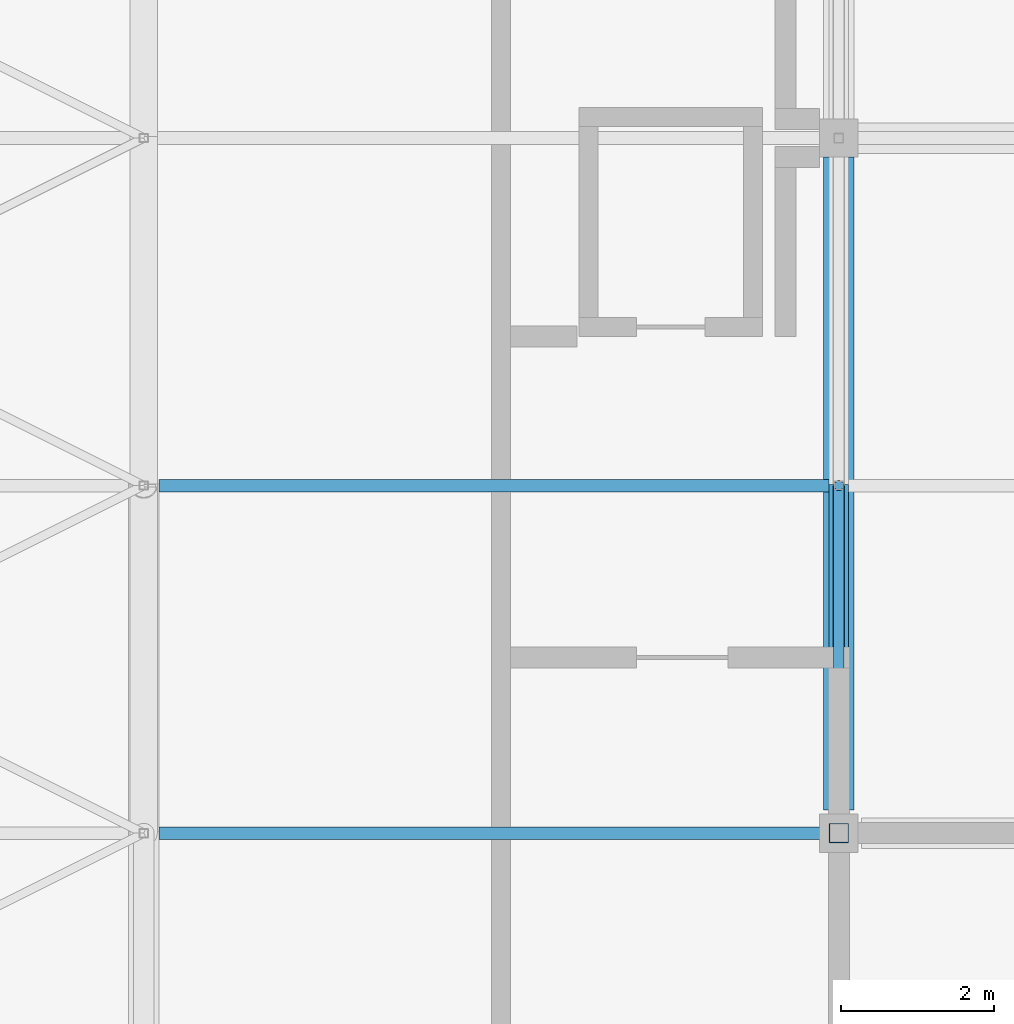
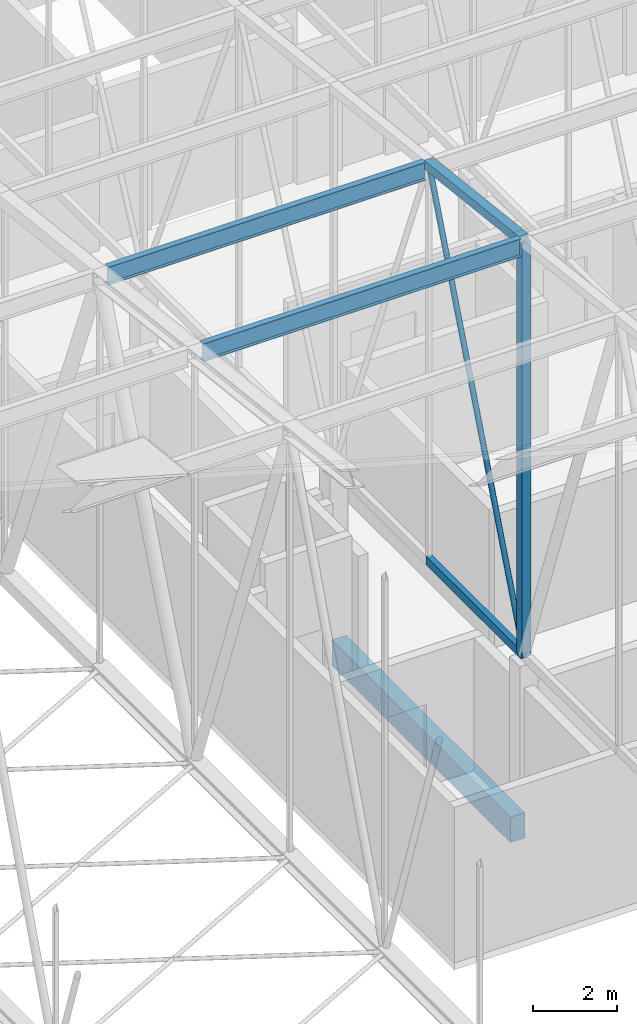
# One storey, part 286 of 500: 6 members, 1 beam.
"""IFC4 building model written with IfcOpenShell, lengths in metres."""

from ifc_helpers import new_model, si_unit, direction, frame, origin, origin_2d, place, context, subcontext, project, spatial, rectangle, hollow_rectangle, hollow_circle, i_section, extrude, material, material_profile, profile_set, type_object, element, save


model = new_model("IFC4")

# Units and contexts
model_context = context("Model", 3, precision=1e-05, world=origin(), true_north=direction((0.0, 1.0)))
body_context = subcontext(model_context, "Body", "Model", "MODEL_VIEW")
ifc_project = project(units=[si_unit("LENGTHUNIT", "METRE"), si_unit("AREAUNIT", "SQUARE_METRE"), si_unit("VOLUMEUNIT", "CUBIC_METRE"), si_unit("PLANEANGLEUNIT", "RADIAN"), si_unit("MASSUNIT", "GRAM", prefix="KILO")], contexts=[model_context])

# Site, building, storey
site_placement = place(None, origin())
site = spatial("IfcSite", under=ifc_project, at=site_placement, CompositionType="ELEMENT")
building_placement = place(site_placement, origin())
building = spatial("IfcBuilding", under=site, at=building_placement, Name="Shirokan Park Arena", CompositionType="ELEMENT")
storey_placement = place(building_placement, frame((0.0, 0.0, 29.1201171875)))
storey = spatial("IfcBuildingStorey", under=building, at=storey_placement, Name="L06", CompositionType="ELEMENT", Elevation=29.1201171875)

# Members
ifc_material_1 = material(Name="Steel ASTM A500 Grade C", Category="steel")
ifc_material_profile_1 = material_profile(ifc_material_1, hollow_rectangle(XDim=0.152099609375, YDim=0.25390625, WallThickness=0.009521484375, at=origin_2d()), Name="HSS254X152.4X9.5")
ifc_profile_set_1 = profile_set([ifc_material_profile_1], Name="Steel ASTM A500 Grade C")
member_type_1 = type_object("IfcMemberType", Name="Bottom chord HSS254X152.4X9.5", PredefinedType="CHORD", material=ifc_profile_set_1)
member_1_placement = place(storey_placement, frame((109.199951171875, 72.800048828125, 4.677001953125), z_axis=(0.0, 1.0, 0.0), x_axis=(-1.0, 0.0, 0.0)))
element("IfcMember", 1, at=member_1_placement, inside=storey, type_object=member_type_1, Name="Truss T13 bottom chord 19", PredefinedType="CHORD", context=body_context, shape_type="SweptSolid", body=[
    extrude(hollow_rectangle(XDim=0.152099609375, YDim=0.25390625, WallThickness=0.009521484375, at=origin_2d()), origin(), (0.0, 0.0, 1.0), 4.550048828125),
])
ifc_material_2 = material(Name="Steel ASTM A992", Category="steel")
ifc_material_profile_2 = material_profile(ifc_material_2, i_section(OverallWidth=0.166015625, OverallDepth=0.528076171875, WebThickness=0.009765625, FlangeThickness=0.013671875, at=origin_2d()), Name="W530X74")
ifc_profile_set_2 = profile_set([ifc_material_profile_2], Name="Steel ASTM A992")
member_type_2 = type_object("IfcMemberType", Name="Purlin W530X74", PredefinedType="PURLIN", material=ifc_profile_set_2)
for number, where, z_axis, x_axis, name in (
    (2, (100.300537109375, 72.800048828125, 16.64599609375), (1.0, 0.0, 0.0), (0.0, 1.0, 0.0), "Purlin 19 bay 12"),
    (3, (100.300537109375, 77.35009765625, 16.1259765625), (1.0, 0.0, 0.0), (0.0, 1.0, 0.0), "Purlin 20 bay 12"),
):
    element("IfcMember", number, at=place(storey_placement, frame(where, z_axis=z_axis, x_axis=x_axis)), inside=storey, type_object=member_type_2, Name=name, PredefinedType="PURLIN", context=body_context, shape_type="SweptSolid", body=[
        extrude(i_section(OverallWidth=0.166015625, OverallDepth=0.528076171875, WebThickness=0.009765625, FlangeThickness=0.013671875, at=origin_2d()), origin(), (0.0, 0.0, 1.0), 8.7724609375),
    ])

# Beam
ifc_material_3 = material(Name="Concrete C35", Category="concrete")
ifc_material_profile_3 = material_profile(ifc_material_3, rectangle(XDim=0.39990234375, YDim=0.75, at=origin_2d()), Name="400x750")
ifc_profile_set_3 = profile_set([ifc_material_profile_3], Name="Concrete C35")
beam_type = type_object("IfcBeamType", Name="RC girder 400x750", PredefinedType="BEAM", material=ifc_profile_set_3)
beam_placement = place(storey_placement, frame((109.199951171875, 73.10009765625, -0.5751953125), z_axis=(0.0, 1.0, 0.0), x_axis=(-1.0, 0.0, 0.0)))
element("IfcBeam", 4, at=beam_placement, inside=storey, type_object=beam_type, Name="Girder 13J-13K L06", PredefinedType="BEAM", context=body_context, shape_type="SweptSolid", body=[
    extrude(rectangle(XDim=0.39990234375, YDim=0.75, at=origin_2d()), origin(), (0.0, 0.0, 1.0), 8.5498046875),
])

# Members
ifc_material_profile_4 = material_profile(ifc_material_1, hollow_rectangle(XDim=0.25390625, YDim=0.25390625, WallThickness=0.009521484375, at=origin_2d()), Name="HSS254X254X9.5")
ifc_profile_set_4 = profile_set([ifc_material_profile_4], Name="Steel ASTM A500 Grade C")
member_type_3 = type_object("IfcMemberType", Name="Top chord HSS254X254X9.5", PredefinedType="CHORD", material=ifc_profile_set_4)
member_2_placement = place(storey_placement, frame((109.199951171875, 72.800048828125, 16.782958984375), z_axis=(0.0, 0.993532328996, -0.113549598152), x_axis=(-1.0, 0.0, 0.0)))
element("IfcMember", 5, at=member_2_placement, inside=storey, type_object=member_type_3, Name="Truss T13 top chord 19", PredefinedType="CHORD", context=body_context, shape_type="SweptSolid", body=[
    extrude(hollow_rectangle(XDim=0.25390625, YDim=0.25390625, WallThickness=0.009521484375, at=origin_2d()), origin(), (0.0, 0.0, 1.0), 4.57958984375),
])
ifc_material_profile_5 = material_profile(ifc_material_1, hollow_circle(Radius=0.070556640625, WallThickness=0.006591796875, at=origin_2d()), Name="HSS141.3X6.6")
ifc_profile_set_5 = profile_set([ifc_material_profile_5], Name="Steel ASTM A500 Grade C")
member_type_4 = type_object("IfcMemberType", Name="Truss diagonal HSS141.3X6.6", PredefinedType="BRACE", material=ifc_profile_set_5)
member_3_placement = place(storey_placement, frame((109.199951171875, 72.800048828125, 4.677001953125), z_axis=(0.0, 0.365543139237, 0.930794399079), x_axis=(-1.0, 0.0, 0.0)))
element("IfcMember", 6, at=member_3_placement, inside=storey, type_object=member_type_4, Name="Truss T13 diagonal 19", PredefinedType="BRACE", context=body_context, shape_type="SweptSolid", body=[
    extrude(hollow_circle(Radius=0.070556640625, WallThickness=0.006591796875, at=origin_2d()), origin(), (0.0, 0.0, 1.0), 12.447265625),
])
ifc_material_profile_6 = material_profile(ifc_material_1, hollow_rectangle(XDim=0.25390625, YDim=0.25390625, WallThickness=0.009521484375, at=origin_2d()), Name="HSS254X254X9.5")
ifc_profile_set_6 = profile_set([ifc_material_profile_6], Name="Steel ASTM A500 Grade C")
member_type_5 = type_object("IfcMemberType", Name="Truss post HSS254X254X9.5", PredefinedType="POST", material=ifc_profile_set_6)
member_4_placement = place(storey_placement, frame((109.199951171875, 72.800048828125, 4.677001953125), z_axis=(0.0, 0.0, 1.0), x_axis=(1.0, 0.0, 0.0)))
element("IfcMember", 7, at=member_4_placement, inside=storey, type_object=member_type_5, Name="Truss T13 post 19", PredefinedType="POST", context=body_context, shape_type="SweptSolid", body=[
    extrude(hollow_rectangle(XDim=0.25390625, YDim=0.25390625, WallThickness=0.009521484375, at=origin_2d()), origin(), (0.0, 0.0, 1.0), 12.10595703125),
])

save(model, "model.ifc")
